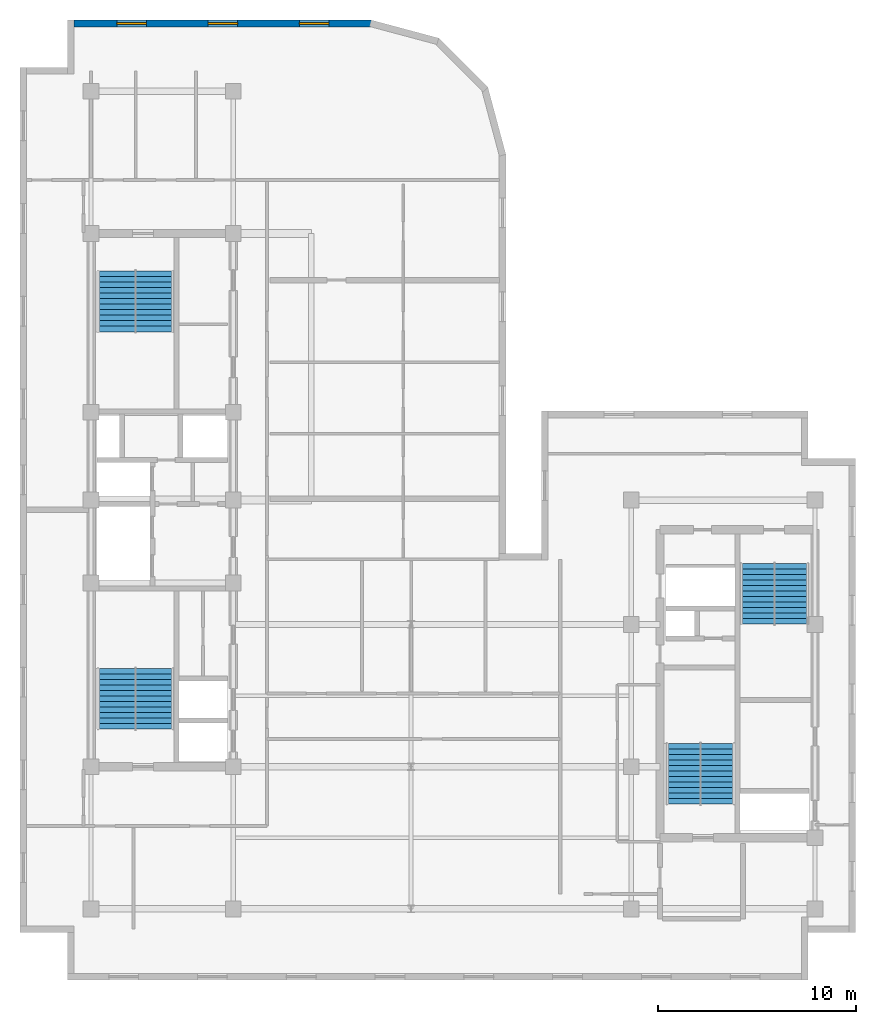
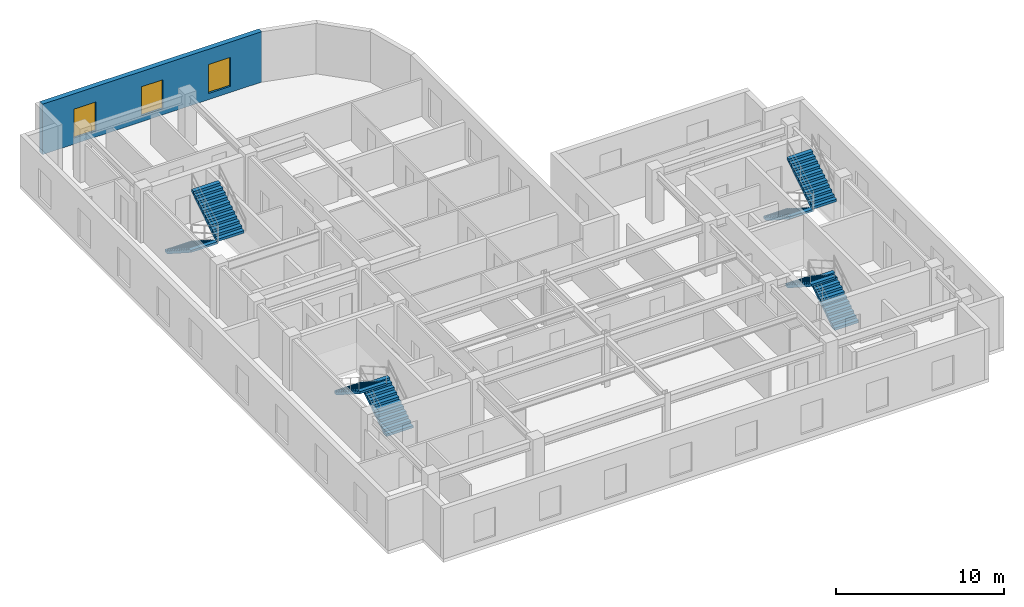
# One storey, part 7 of 10: 8 stair flights, 3 windows, 1 wall, 3 openings, 4 elements without a shape of their own.
"""IFC4 building model written with IfcOpenShell, lengths in metres."""

from ifc_helpers import new_model, entity, si_unit, converted_unit, direction, frame, origin_with_axes, origin_2d_with_axis, place, context, subcontext, project, spatial, polyline, rectangle, outline, extrude, material, layer, layer_set, type_object, element, fill, aggregate, save


model = new_model("IFC4")

# Units and contexts
model_context = context("Model", 3, precision=1e-05, world=origin_with_axes(), true_north=direction((0.0, 1.0)))
body_context = subcontext(model_context, "Body", "Model", "MODEL_VIEW")
ifc_project = project(units=[si_unit("LENGTHUNIT", "METRE"), si_unit("AREAUNIT", "SQUARE_METRE"), si_unit("VOLUMEUNIT", "CUBIC_METRE"), converted_unit("PLANEANGLEUNIT", "DEGREE", entity("IfcPlaneAngleMeasure", 0.017453292519943295), si_unit("PLANEANGLEUNIT", "RADIAN"), dimensions=[0, 0, 0, 0, 0, 0, 0]), si_unit("MASSUNIT", "GRAM", prefix="KILO"), si_unit("THERMODYNAMICTEMPERATUREUNIT", "KELVIN")], contexts=[model_context])

# Site, building, storey
site_placement = place(None, origin_with_axes())
site = spatial("IfcSite", under=ifc_project, at=site_placement, CompositionType="ELEMENT")
building_placement = place(site_placement, origin_with_axes())
building = spatial("IfcBuilding", under=site, at=building_placement, Name="Varnlund Millrace Tower", CompositionType="ELEMENT")
storey_placement = place(building_placement, frame((0.0, 0.0, 268.5), z_axis=(0.0, 0.0, 1.0), x_axis=(1.0, 0.0, 0.0)))
storey = spatial("IfcBuildingStorey", under=building, at=storey_placement, Name="L66", CompositionType="ELEMENT", Elevation=268.5)

# Wall, openings, windows
ifc_material_1 = material(Name="Precast concrete C50/60", Category="concrete")
ifc_layer = layer(ifc_material_1, 0.34, Name="Precast concrete C50/60")
ifc_layer_set = layer_set([ifc_layer], Name="Precast concrete C50/60")
wall_type = type_object("IfcWallType", Name="Type-ExtWall-Precast-Upper-340", PredefinedType="SOLIDWALL", material=ifc_layer_set)
wall_placement = place(storey_placement, frame((10.54, 48.43, 0.0), z_axis=(0.0, 0.0, 1.0), x_axis=(1.0, 0.0, 0.0)))
wall = element("IfcWall", 1, at=wall_placement, inside=storey, type_object=wall_type, Name="Type-ExtWall-Precast-Upper-340", PredefinedType="SOLIDWALL", context=body_context, shape_type="SweptSolid", body=[
    extrude(outline(polyline([(0.0, -0.17), (15.06, -0.17), (15.06, 0.17), (0.0, 0.17), (0.0, -0.17)])), origin_with_axes(), (0.0, 0.0, 1.0), 3.66),
])
opening_1_placement = place(wall_placement, frame((2.91, 0.0, 0.45), z_axis=(0.0, 0.0, 1.0), x_axis=(1.0, 0.0, 0.0)))
opening_1 = element("IfcOpeningElement", 2, at=opening_1_placement, cuts=wall, Name="Opening L66:WN-26", PredefinedType="OPENING", context=body_context, shape_type="SweptSolid", body=[
    extrude(rectangle(XDim=1.5, YDim=0.36, at=origin_2d_with_axis()), origin_with_axes(), (0.0, 0.0, 1.0), 2.1),
])
opening_2_placement = place(wall_placement, frame((7.53, 0.0, 0.45), z_axis=(0.0, 0.0, 1.0), x_axis=(1.0, 0.0, 0.0)))
opening_2 = element("IfcOpeningElement", 3, at=opening_2_placement, cuts=wall, Name="Opening L66:WN-27", PredefinedType="OPENING", context=body_context, shape_type="SweptSolid", body=[
    extrude(rectangle(XDim=1.5, YDim=0.36, at=origin_2d_with_axis()), origin_with_axes(), (0.0, 0.0, 1.0), 2.1),
])
opening_3_placement = place(wall_placement, frame((12.15, 0.0, 0.45), z_axis=(0.0, 0.0, 1.0), x_axis=(1.0, 0.0, 0.0)))
opening_3 = element("IfcOpeningElement", 4, at=opening_3_placement, cuts=wall, Name="Opening L66:WN-28", PredefinedType="OPENING", context=body_context, shape_type="SweptSolid", body=[
    extrude(rectangle(XDim=1.5, YDim=0.36, at=origin_2d_with_axis()), origin_with_axes(), (0.0, 0.0, 1.0), 2.1),
])
ifc_material_2 = material(Name="Argon low-e triple glazing in thermally broken bronze frame", Category="glass")
window_type = type_object("IfcWindowType", Name="Type-Window-Punched-1500X2100", PartitioningType="SINGLE_PANEL", PredefinedType="WINDOW", material=ifc_material_2)
window_1_placement = place(wall_placement, frame((2.91, 0.0, 0.45), z_axis=(0.0, 0.0, 1.0), x_axis=(1.0, 0.0, 0.0)))
window_1 = element("IfcWindow", 5, at=window_1_placement, inside=storey, type_object=window_type, Name="Type-Window-Punched-1500X2100", OverallHeight=2.1, OverallWidth=1.5, PredefinedType="WINDOW", context=body_context, shape_type="SweptSolid", body=[
    extrude(rectangle(XDim=1.5, YDim=0.09, at=origin_2d_with_axis()), origin_with_axes(), (0.0, 0.0, 1.0), 2.1),
])
fill(opening_1, window_1)
window_2_placement = place(wall_placement, frame((7.53, 0.0, 0.45), z_axis=(0.0, 0.0, 1.0), x_axis=(1.0, 0.0, 0.0)))
window_2 = element("IfcWindow", 6, at=window_2_placement, inside=storey, type_object=window_type, Name="Type-Window-Punched-1500X2100", OverallHeight=2.1, OverallWidth=1.5, PredefinedType="WINDOW", context=body_context, shape_type="SweptSolid", body=[
    extrude(rectangle(XDim=1.5, YDim=0.09, at=origin_2d_with_axis()), origin_with_axes(), (0.0, 0.0, 1.0), 2.1),
])
fill(opening_2, window_2)
window_3_placement = place(wall_placement, frame((12.15, 0.0, 0.45), z_axis=(0.0, 0.0, 1.0), x_axis=(1.0, 0.0, 0.0)))
window_3 = element("IfcWindow", 7, at=window_3_placement, inside=storey, type_object=window_type, Name="Type-Window-Punched-1500X2100", OverallHeight=2.1, OverallWidth=1.5, PredefinedType="WINDOW", context=body_context, shape_type="SweptSolid", body=[
    extrude(rectangle(XDim=1.5, YDim=0.09, at=origin_2d_with_axis()), origin_with_axes(), (0.0, 0.0, 1.0), 2.1),
])
fill(opening_3, window_3)

# Stair, stair flights
ifc_material_3 = material(Name="Concrete C50/60", Category="concrete")
stair_type_1 = type_object("IfcStairType", Name="Type-Stair-Dogleg-165-390", PredefinedType="HALF_TURN_STAIR", material=ifc_material_3)
stair_1_placement = place(storey_placement, origin_with_axes())
stair_1 = element("IfcStair", 8, at=stair_1_placement, inside=storey, type_object=stair_type_1, Name="Type-Stair-Dogleg-165-390", PredefinedType="HALF_TURN_STAIR")
stair_flight_type_1 = type_object("IfcStairFlightType", Name="Type-Dogleg-Run-165-390", PredefinedType="STRAIGHT", material=ifc_material_1)
stair_flight_1_placement = place(storey_placement, frame((42.225, 8.9, 0.0), z_axis=(1.0, 0.0, 0.0), x_axis=(0.0, 1.0, 0.0)))
stair_flight_1 = element("IfcStairFlight", 9, at=stair_flight_1_placement, type_object=stair_flight_type_1, Name="ST-B1 flight 1", NumberOfRisers=11, NumberOfTreads=11, PredefinedType="STRAIGHT", RiserHeight=0.177273, TreadLength=0.28, context=body_context, shape_type="SweptSolid", body=[
    extrude(outline(polyline([(0.0, 0.0), (0.0, 0.177273), (0.28, 0.177273), (0.28, 0.354545), (0.56, 0.354545), (0.56, 0.531818), (0.84, 0.531818), (0.84, 0.709091), (1.12, 0.709091), (1.12, 0.886364), (1.4, 0.886364), (1.4, 1.063636), (1.68, 1.063636), (1.68, 1.240909), (1.96, 1.240909), (1.96, 1.418182), (2.24, 1.418182), (2.24, 1.595454), (2.52, 1.595454), (2.52, 1.772727), (2.8, 1.772727), (2.8, 1.95), (3.08, 1.95), (3.08, 1.8), (0.28, 0.0), (0.0, 0.0)])), origin_with_axes(), (0.0, 0.0, 1.0), 1.65),
])
stair_flight_2_placement = place(storey_placement, frame((42.275, 11.98, 1.95), z_axis=(-1.0, 0.0, 0.0), x_axis=(0.0, -1.0, 0.0)))
stair_flight_2 = element("IfcStairFlight", 10, at=stair_flight_2_placement, type_object=stair_flight_type_1, Name="ST-B1 flight 2", NumberOfRisers=11, NumberOfTreads=11, PredefinedType="STRAIGHT", RiserHeight=0.177273, TreadLength=0.28, context=body_context, shape_type="SweptSolid", body=[
    extrude(outline(polyline([(0.0, 0.0), (0.0, 0.177273), (0.28, 0.177273), (0.28, 0.354545), (0.56, 0.354545), (0.56, 0.531818), (0.84, 0.531818), (0.84, 0.709091), (1.12, 0.709091), (1.12, 0.886364), (1.4, 0.886364), (1.4, 1.063636), (1.68, 1.063636), (1.68, 1.240909), (1.96, 1.240909), (1.96, 1.418182), (2.24, 1.418182), (2.24, 1.595454), (2.52, 1.595454), (2.52, 1.772727), (2.8, 1.772727), (2.8, 1.95), (3.08, 1.95), (3.08, 1.8), (0.28, 0.0), (0.0, 0.0)])), origin_with_axes(), (0.0, 0.0, 1.0), 1.65),
])
aggregate(stair_1, [stair_flight_1, stair_flight_2])

stair_2_placement = place(storey_placement, origin_with_axes())
stair_2 = element("IfcStair", 11, at=stair_2_placement, inside=storey, type_object=stair_type_1, Name="Type-Stair-Dogleg-165-390", PredefinedType="HALF_TURN_STAIR")
stair_flight_3_placement = place(storey_placement, frame((46.025, 21.1, 0.0), z_axis=(-1.0, 0.0, 0.0), x_axis=(0.0, -1.0, 0.0)))
stair_flight_3 = element("IfcStairFlight", 12, at=stair_flight_3_placement, type_object=stair_flight_type_1, Name="ST-B2 flight 1", NumberOfRisers=11, NumberOfTreads=11, PredefinedType="STRAIGHT", RiserHeight=0.177273, TreadLength=0.28, context=body_context, shape_type="SweptSolid", body=[
    extrude(outline(polyline([(0.0, 0.0), (0.0, 0.177273), (0.28, 0.177273), (0.28, 0.354545), (0.56, 0.354545), (0.56, 0.531818), (0.84, 0.531818), (0.84, 0.709091), (1.12, 0.709091), (1.12, 0.886364), (1.4, 0.886364), (1.4, 1.063636), (1.68, 1.063636), (1.68, 1.240909), (1.96, 1.240909), (1.96, 1.418182), (2.24, 1.418182), (2.24, 1.595454), (2.52, 1.595454), (2.52, 1.772727), (2.8, 1.772727), (2.8, 1.95), (3.08, 1.95), (3.08, 1.8), (0.28, 0.0), (0.0, 0.0)])), origin_with_axes(), (0.0, 0.0, 1.0), 1.65),
])
stair_flight_4_placement = place(storey_placement, frame((45.975, 18.02, 1.95), z_axis=(1.0, 0.0, 0.0), x_axis=(0.0, 1.0, 0.0)))
stair_flight_4 = element("IfcStairFlight", 13, at=stair_flight_4_placement, type_object=stair_flight_type_1, Name="ST-B2 flight 2", NumberOfRisers=11, NumberOfTreads=11, PredefinedType="STRAIGHT", RiserHeight=0.177273, TreadLength=0.28, context=body_context, shape_type="SweptSolid", body=[
    extrude(outline(polyline([(0.0, 0.0), (0.0, 0.177273), (0.28, 0.177273), (0.28, 0.354545), (0.56, 0.354545), (0.56, 0.531818), (0.84, 0.531818), (0.84, 0.709091), (1.12, 0.709091), (1.12, 0.886364), (1.4, 0.886364), (1.4, 1.063636), (1.68, 1.063636), (1.68, 1.240909), (1.96, 1.240909), (1.96, 1.418182), (2.24, 1.418182), (2.24, 1.595454), (2.52, 1.595454), (2.52, 1.772727), (2.8, 1.772727), (2.8, 1.95), (3.08, 1.95), (3.08, 1.8), (0.28, 0.0), (0.0, 0.0)])), origin_with_axes(), (0.0, 0.0, 1.0), 1.65),
])
aggregate(stair_2, [stair_flight_3, stair_flight_4])

stair_type_2 = type_object("IfcStairType", Name="Type-Stair-Dogleg-185-390", PredefinedType="HALF_TURN_STAIR", material=ifc_material_3)
stair_3_placement = place(storey_placement, origin_with_axes())
stair_3 = element("IfcStair", 14, at=stair_3_placement, inside=storey, type_object=stair_type_2, Name="Type-Stair-Dogleg-185-390", PredefinedType="HALF_TURN_STAIR")
stair_flight_type_2 = type_object("IfcStairFlightType", Name="Type-Dogleg-Run-185-390", PredefinedType="STRAIGHT", material=ifc_material_1)
stair_flight_5_placement = place(storey_placement, frame((13.625, 12.7, 0.0), z_axis=(1.0, 0.0, 0.0), x_axis=(0.0, 1.0, 0.0)))
stair_flight_5 = element("IfcStairFlight", 15, at=stair_flight_5_placement, type_object=stair_flight_type_2, Name="ST-A1 flight 1", NumberOfRisers=11, NumberOfTreads=11, PredefinedType="STRAIGHT", RiserHeight=0.177273, TreadLength=0.28, context=body_context, shape_type="SweptSolid", body=[
    extrude(outline(polyline([(0.0, 0.0), (0.0, 0.177273), (0.28, 0.177273), (0.28, 0.354545), (0.56, 0.354545), (0.56, 0.531818), (0.84, 0.531818), (0.84, 0.709091), (1.12, 0.709091), (1.12, 0.886364), (1.4, 0.886364), (1.4, 1.063636), (1.68, 1.063636), (1.68, 1.240909), (1.96, 1.240909), (1.96, 1.418182), (2.24, 1.418182), (2.24, 1.595454), (2.52, 1.595454), (2.52, 1.772727), (2.8, 1.772727), (2.8, 1.95), (3.08, 1.95), (3.08, 1.8), (0.28, 0.0), (0.0, 0.0)])), origin_with_axes(), (0.0, 0.0, 1.0), 1.85),
])
stair_flight_6_placement = place(storey_placement, frame((13.675, 15.78, 1.95), z_axis=(-1.0, 0.0, 0.0), x_axis=(0.0, -1.0, 0.0)))
stair_flight_6 = element("IfcStairFlight", 16, at=stair_flight_6_placement, type_object=stair_flight_type_2, Name="ST-A1 flight 2", NumberOfRisers=11, NumberOfTreads=11, PredefinedType="STRAIGHT", RiserHeight=0.177273, TreadLength=0.28, context=body_context, shape_type="SweptSolid", body=[
    extrude(outline(polyline([(0.0, 0.0), (0.0, 0.177273), (0.28, 0.177273), (0.28, 0.354545), (0.56, 0.354545), (0.56, 0.531818), (0.84, 0.531818), (0.84, 0.709091), (1.12, 0.709091), (1.12, 0.886364), (1.4, 0.886364), (1.4, 1.063636), (1.68, 1.063636), (1.68, 1.240909), (1.96, 1.240909), (1.96, 1.418182), (2.24, 1.418182), (2.24, 1.595454), (2.52, 1.595454), (2.52, 1.772727), (2.8, 1.772727), (2.8, 1.95), (3.08, 1.95), (3.08, 1.8), (0.28, 0.0), (0.0, 0.0)])), origin_with_axes(), (0.0, 0.0, 1.0), 1.85),
])
aggregate(stair_3, [stair_flight_5, stair_flight_6])

stair_4_placement = place(storey_placement, origin_with_axes())
stair_4 = element("IfcStair", 17, at=stair_4_placement, inside=storey, type_object=stair_type_2, Name="Type-Stair-Dogleg-185-390", PredefinedType="HALF_TURN_STAIR")
stair_flight_7_placement = place(storey_placement, frame((13.675, 35.9, 0.0), z_axis=(-1.0, 0.0, 0.0), x_axis=(0.0, -1.0, 0.0)))
stair_flight_7 = element("IfcStairFlight", 18, at=stair_flight_7_placement, type_object=stair_flight_type_2, Name="ST-A2 flight 1", NumberOfRisers=11, NumberOfTreads=11, PredefinedType="STRAIGHT", RiserHeight=0.177273, TreadLength=0.28, context=body_context, shape_type="SweptSolid", body=[
    extrude(outline(polyline([(0.0, 0.0), (0.0, 0.177273), (0.28, 0.177273), (0.28, 0.354545), (0.56, 0.354545), (0.56, 0.531818), (0.84, 0.531818), (0.84, 0.709091), (1.12, 0.709091), (1.12, 0.886364), (1.4, 0.886364), (1.4, 1.063636), (1.68, 1.063636), (1.68, 1.240909), (1.96, 1.240909), (1.96, 1.418182), (2.24, 1.418182), (2.24, 1.595454), (2.52, 1.595454), (2.52, 1.772727), (2.8, 1.772727), (2.8, 1.95), (3.08, 1.95), (3.08, 1.8), (0.28, 0.0), (0.0, 0.0)])), origin_with_axes(), (0.0, 0.0, 1.0), 1.85),
])
stair_flight_8_placement = place(storey_placement, frame((13.625, 32.82, 1.95), z_axis=(1.0, 0.0, 0.0), x_axis=(0.0, 1.0, 0.0)))
stair_flight_8 = element("IfcStairFlight", 19, at=stair_flight_8_placement, type_object=stair_flight_type_2, Name="ST-A2 flight 2", NumberOfRisers=11, NumberOfTreads=11, PredefinedType="STRAIGHT", RiserHeight=0.177273, TreadLength=0.28, context=body_context, shape_type="SweptSolid", body=[
    extrude(outline(polyline([(0.0, 0.0), (0.0, 0.177273), (0.28, 0.177273), (0.28, 0.354545), (0.56, 0.354545), (0.56, 0.531818), (0.84, 0.531818), (0.84, 0.709091), (1.12, 0.709091), (1.12, 0.886364), (1.4, 0.886364), (1.4, 1.063636), (1.68, 1.063636), (1.68, 1.240909), (1.96, 1.240909), (1.96, 1.418182), (2.24, 1.418182), (2.24, 1.595454), (2.52, 1.595454), (2.52, 1.772727), (2.8, 1.772727), (2.8, 1.95), (3.08, 1.95), (3.08, 1.8), (0.28, 0.0), (0.0, 0.0)])), origin_with_axes(), (0.0, 0.0, 1.0), 1.85),
])
aggregate(stair_4, [stair_flight_7, stair_flight_8])

save(model, "model.ifc")
